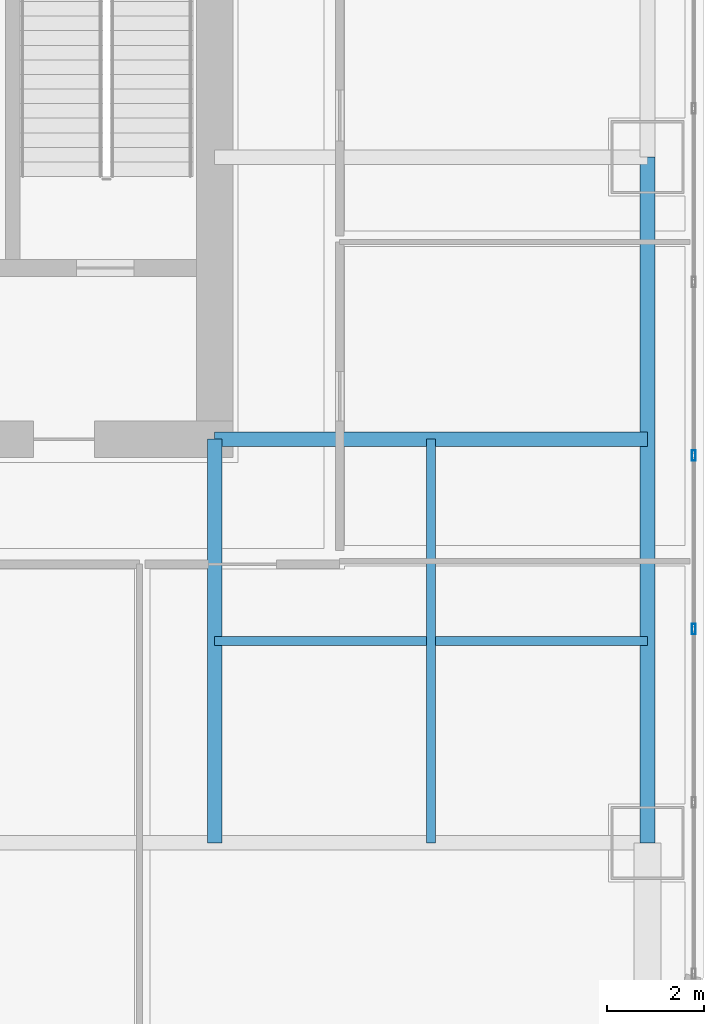
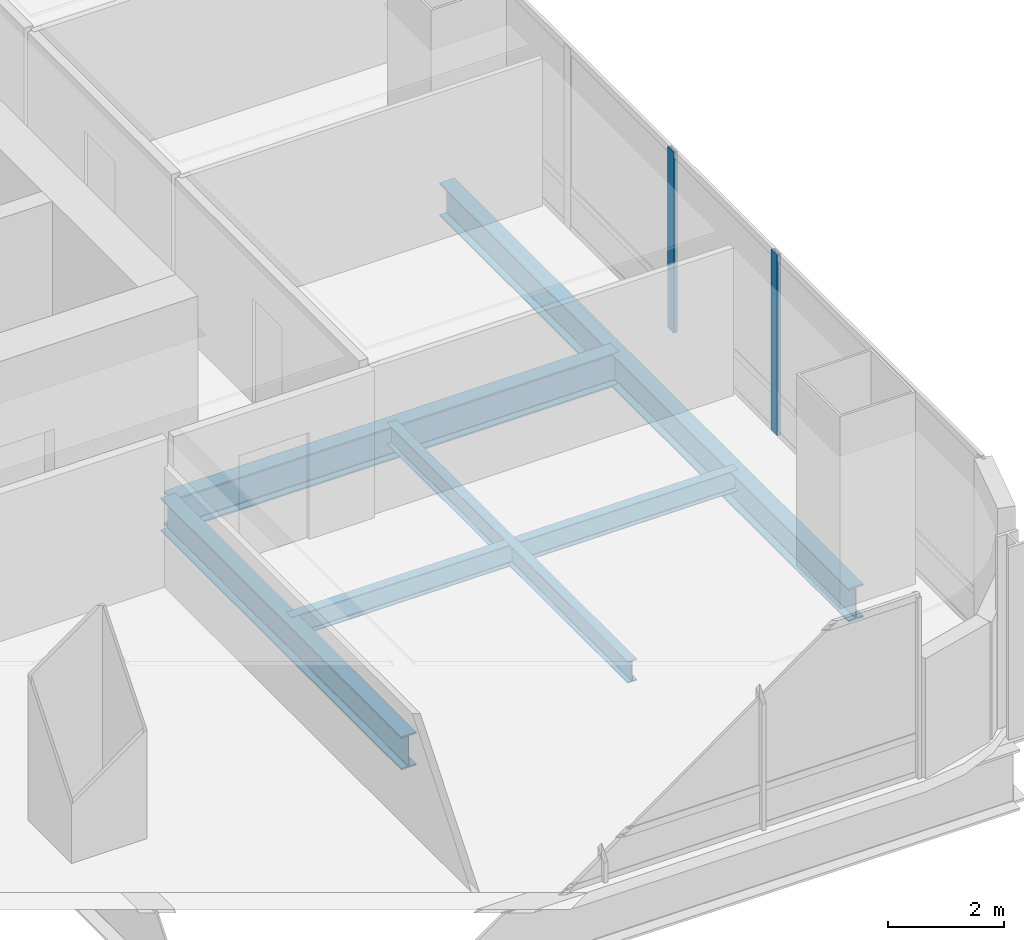
# One storey, part 13 of 37: 5 beams, 2 members, 1 element without a shape of its own.
"""IFC4 building model written with IfcOpenShell, lengths in metres."""

from ifc_helpers import new_model, si_unit, direction, frame, origin, origin_2d, place, context, subcontext, project, spatial, hollow_rectangle, i_section, extrude, material, material_profile, profile_set, type_object, element, aggregate, save


model = new_model("IFC4")

# Units and contexts
model_context = context("Model", 3, precision=1e-05, world=origin(), true_north=direction((0.0, 1.0)))
body_context = subcontext(model_context, "Body", "Model", "MODEL_VIEW")
ifc_project = project(units=[si_unit("LENGTHUNIT", "METRE"), si_unit("AREAUNIT", "SQUARE_METRE"), si_unit("VOLUMEUNIT", "CUBIC_METRE"), si_unit("PLANEANGLEUNIT", "RADIAN"), si_unit("MASSUNIT", "GRAM", prefix="KILO")], contexts=[model_context])

# Site, building, storey
site_placement = place(None, origin())
site = spatial("IfcSite", under=ifc_project, at=site_placement, CompositionType="ELEMENT")
building_placement = place(site_placement, origin())
building = spatial("IfcBuilding", under=site, at=building_placement, Name="Punatoya Terracotta Tower", CompositionType="ELEMENT")
storey_placement = place(building_placement, frame((0.0, 0.0, 44.39990234375)))
storey = spatial("IfcBuildingStorey", under=building, at=storey_placement, Name="L09", CompositionType="ELEMENT", Elevation=44.39990234375)

# Beams
ifc_material_1 = material(Name="Steel S355", Category="steel")
ifc_material_profile_1 = material_profile(ifc_material_1, i_section(OverallWidth=0.300048828125, OverallDepth=0.699951171875, WebThickness=0.01708984375, FlangeThickness=0.031982421875, FilletRadius=0.01806640625, at=origin_2d()))
ifc_profile_set_1 = profile_set([ifc_material_profile_1], Name="Steel S355")
beam_type_1 = type_object("IfcBeamType", Name="BM-PRI-700", PredefinedType="BEAM", material=ifc_profile_set_1)
beam_1_placement = place(storey_placement, frame((19.10009765625, -17.5, -0.58984375), z_axis=(0.0, 1.0, 0.0), x_axis=(-1.0, 0.0, 0.0)))
element("IfcBeam", 1, at=beam_1_placement, inside=storey, type_object=beam_type_1, Name="BM-L09-RG-E1", PredefinedType="BEAM", context=body_context, shape_type="SweptSolid", body=[
    extrude(i_section(OverallWidth=0.300048828125, OverallDepth=0.699951171875, WebThickness=0.01708984375, FlangeThickness=0.031982421875, FilletRadius=0.01806640625, at=origin_2d()), origin(), (0.0, 0.0, 1.0), 14.10009765625),
])
beam_2_placement = place(storey_placement, frame((10.199951171875, -9.199951171875, -0.58984375), z_axis=(1.0, 0.0, 0.0), x_axis=(0.0, 1.0, 0.0)))
element("IfcBeam", 2, at=beam_2_placement, inside=storey, type_object=beam_type_1, Name="BM-L09-PR-ES", PredefinedType="BEAM", context=body_context, shape_type="SweptSolid", body=[
    extrude(i_section(OverallWidth=0.300048828125, OverallDepth=0.699951171875, WebThickness=0.01708984375, FlangeThickness=0.031982421875, FilletRadius=0.01806640625, at=origin_2d()), origin(), (0.0, 0.0, 1.0), 8.900146484375),
])
beam_3_placement = place(storey_placement, frame((10.199951171875, -17.5, -0.58984375), z_axis=(0.0, 1.0, 0.0), x_axis=(-1.0, 0.0, 0.0)))
element("IfcBeam", 3, at=beam_3_placement, inside=storey, type_object=beam_type_1, Name="BM-L09-PR-S4", PredefinedType="BEAM", context=body_context, shape_type="SweptSolid", body=[
    extrude(i_section(OverallWidth=0.300048828125, OverallDepth=0.699951171875, WebThickness=0.01708984375, FlangeThickness=0.031982421875, FilletRadius=0.01806640625, at=origin_2d()), origin(), (0.0, 0.0, 1.0), 8.300048828125),
])
ifc_material_profile_2 = material_profile(ifc_material_1, i_section(OverallWidth=0.18994140625, OverallDepth=0.449951171875, WebThickness=0.009521484375, FlangeThickness=0.0146484375, FilletRadius=0.01806640625, at=origin_2d()))
ifc_profile_set_2 = profile_set([ifc_material_profile_2], Name="Steel S355")
beam_type_2 = type_object("IfcBeamType", Name="BM-SEC-450", PredefinedType="JOIST", material=ifc_profile_set_2)
beam_4_placement = place(storey_placement, frame((10.199951171875, -13.35009765625, -0.46484375), z_axis=(1.0, 0.0, 0.0), x_axis=(0.0, 1.0, 0.0)))
element("IfcBeam", 4, at=beam_4_placement, inside=storey, type_object=beam_type_2, Name="BM-L09-SJS-2", PredefinedType="JOIST", context=body_context, shape_type="SweptSolid", body=[
    extrude(i_section(OverallWidth=0.18994140625, OverallDepth=0.449951171875, WebThickness=0.009521484375, FlangeThickness=0.0146484375, FilletRadius=0.01806640625, at=origin_2d()), origin(), (0.0, 0.0, 1.0), 8.900146484375),
])
beam_5_placement = place(storey_placement, frame((14.64990234375, -17.5, -0.46484375), z_axis=(0.0, 1.0, 0.0), x_axis=(-1.0, 0.0, 0.0)))
element("IfcBeam", 5, at=beam_5_placement, inside=storey, type_object=beam_type_2, Name="BM-L09-SJE-1", PredefinedType="JOIST", context=body_context, shape_type="SweptSolid", body=[
    extrude(i_section(OverallWidth=0.18994140625, OverallDepth=0.449951171875, WebThickness=0.009521484375, FlangeThickness=0.0146484375, FilletRadius=0.01806640625, at=origin_2d()), origin(), (0.0, 0.0, 1.0), 8.300048828125),
])

# Curtain wall, members
ifc_material_2 = material(Name="Aluminium 6063-T6 + Double Low-E Glass", Category="aluminium")
curtain_wall_type = type_object("IfcCurtainWallType", Name="CW-M1", PredefinedType="NOTDEFINED", material=ifc_material_2)
curtain_wall_placement = place(storey_placement, origin())
curtain_wall = element("IfcCurtainWall", 6, at=curtain_wall_placement, inside=storey, type_object=curtain_wall_type, Name="L09 Curtain Wall CW-L09-E05-1", PredefinedType="NOTDEFINED")
ifc_material_3 = material(Name="Aluminium 6063-T6", Category="aluminium")
ifc_material_profile_3 = material_profile(ifc_material_3, hollow_rectangle(XDim=0.074951171875, YDim=0.2099609375, WallThickness=0.00439453125, at=origin_2d()))
ifc_profile_set_3 = profile_set([ifc_material_profile_3], Name="Aluminium 6063-T6")
member_type = type_object("IfcMemberType", Name="CW-MUL-M1", PredefinedType="MULLION", material=ifc_profile_set_3)
member_1_placement = place(storey_placement, frame((20.050048828125, -13.10205078125, 0.0), z_axis=(0.0, 0.0, 1.0), x_axis=(1.0, 0.0, 0.0)))
member_1 = element("IfcMember", 7, at=member_1_placement, type_object=member_type, Name="CW-L09-E05-1 Mullion 02", PredefinedType="MULLION", context=body_context, shape_type="SweptSolid", body=[
    extrude(hollow_rectangle(XDim=0.074951171875, YDim=0.2099609375, WallThickness=0.00439453125, at=origin_2d()), origin(), (0.0, 0.0, 1.0), 3.81005859375),
])
member_2_placement = place(storey_placement, frame((20.050048828125, -9.534912109375, 0.0), z_axis=(0.0, 0.0, 1.0), x_axis=(1.0, 0.0, 0.0)))
member_2 = element("IfcMember", 8, at=member_2_placement, type_object=member_type, Name="CW-L09-E05-1 Mullion 03", PredefinedType="MULLION", context=body_context, shape_type="SweptSolid", body=[
    extrude(hollow_rectangle(XDim=0.074951171875, YDim=0.2099609375, WallThickness=0.00439453125, at=origin_2d()), origin(), (0.0, 0.0, 1.0), 3.81005859375),
])
aggregate(curtain_wall, [member_1, member_2])

save(model, "model.ifc")
